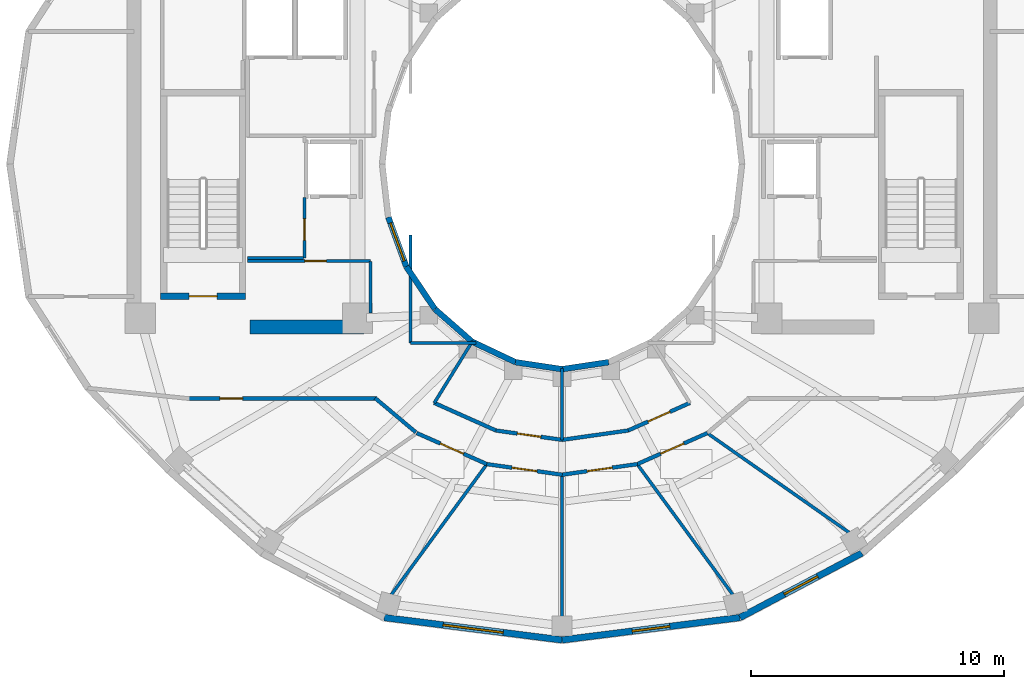
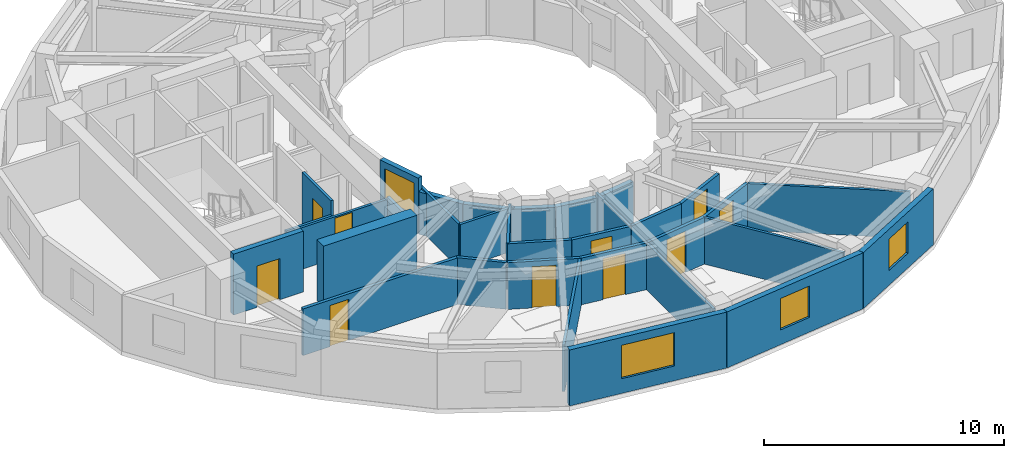
# One storey, part 3 of 9: 33 walls, 10 doors, 4 windows, 14 openings.
"""IFC4 building model written with IfcOpenShell, lengths in metres."""

from ifc_helpers import new_model, si_unit, direction, frame, frame_2d, origin, place, context, subcontext, project, spatial, rectangle, extrude, material, layer, layer_set, type_object, element, fill, save


model = new_model("IFC4")

# Units and contexts
model_context = context("Model", 3, precision=1e-05, world=origin(), true_north=direction((0.0, 1.0)))
body_context = subcontext(model_context, "Body", "Model", "MODEL_VIEW")
ifc_project = project(units=[si_unit("LENGTHUNIT", "METRE"), si_unit("AREAUNIT", "SQUARE_METRE"), si_unit("VOLUMEUNIT", "CUBIC_METRE"), si_unit("PLANEANGLEUNIT", "RADIAN"), si_unit("MASSUNIT", "GRAM", prefix="KILO")], contexts=[model_context])

# Site, building, storey
site_placement = place(None, origin())
site = spatial("IfcSite", under=ifc_project, at=site_placement, CompositionType="ELEMENT")
building_placement = place(site_placement, origin())
building = spatial("IfcBuilding", under=site, at=building_placement, Name="Solvane Sanctuary Tower", CompositionType="ELEMENT")
storey_placement = place(building_placement, frame((0.0, 0.0, 229.5)))
storey = spatial("IfcBuildingStorey", under=building, at=storey_placement, Name="L70", CompositionType="ELEMENT", Elevation=229.5)

# Walls
ifc_material_1 = material(Name="Concrete C50/60", Category="concrete")
ifc_layer_1 = layer(ifc_material_1, 0.550048828125, Name="Concrete C50/60")
ifc_layer_set_1 = layer_set([ifc_layer_1], Name="Concrete C50/60")
wall_type_1 = type_object("IfcWallType", Name="Wall W-CORE-550", PredefinedType="SHEAR", material=ifc_layer_set_1)
wall_1_placement = place(storey_placement, frame((19.64990234375, 16.550048828125, 0.0), z_axis=(0.0, 0.0, 1.0), x_axis=(1.0, 0.0, 0.0)))
element("IfcWall", 1, at=wall_1_placement, inside=storey, type_object=wall_type_1, Name="L70 Core Shear Wall WC-S", PredefinedType="SHEAR", context=body_context, shape_type="SweptSolid", body=[
    extrude(rectangle(XDim=4.5, YDim=0.550048828125, at=frame_2d((2.25, 0.0))), origin(), (0.0, 0.0, 1.0), 3.10009765625),
])
ifc_material_2 = material(Name="Acoustic Gypsum Partition Board")
ifc_layer_2 = layer(ifc_material_2, 0.14990234375, Name="Acoustic Gypsum Partition Board")
ifc_layer_set_2 = layer_set([ifc_layer_2], Name="Acoustic Gypsum Partition Board")
wall_type_2 = type_object("IfcWallType", Name="Wall W-CORR-150", PredefinedType="PARTITIONING", material=ifc_layer_set_2)
wall_2_placement = place(storey_placement, frame((26.934814453125, 13.548583984375, 0.0), z_axis=(0.0, 0.0, 1.0), x_axis=(0.912859324183, -0.408274239027, 0.0)))
element("IfcWall", 2, at=wall_2_placement, inside=storey, type_object=wall_type_2, Name="L70 South Light-Well Corridor Wall 1", PredefinedType="PARTITIONING", context=body_context, shape_type="SweptSolid", body=[
    extrude(rectangle(XDim=2.681884765625, YDim=0.14990234375, at=frame_2d((1.3408203125, 0.0))), origin(), (0.0, 0.0, 1.0), 2.3759765625),
])

# Wall, opening, door
wall_3_placement = place(storey_placement, frame((29.379638671875, 12.45458984375, 0.0), z_axis=(0.0, 0.0, 1.0), x_axis=(0.990096156252, -0.140390887794, 0.0)))
wall_3 = element("IfcWall", 3, at=wall_3_placement, inside=storey, type_object=wall_type_2, Name="L70 South Light-Well Corridor Wall 1", PredefinedType="PARTITIONING", context=body_context, shape_type="SweptSolid", body=[
    extrude(rectangle(XDim=2.65380859375, YDim=0.14990234375, at=frame_2d((1.326904296875, 0.0))), origin(), (0.0, 0.0, 1.0), 2.3759765625),
])
opening_1_placement = place(wall_3_placement, frame((0.851806640625, 0.0, 0.0)))
opening_1 = element("IfcOpeningElement", 4, at=opening_1_placement, cuts=wall_3, Name="Opening D-L70-12", PredefinedType="OPENING", context=body_context, shape_type="SweptSolid", body=[
    extrude(rectangle(XDim=0.949951171875, YDim=2.10009765625, at=frame_2d((0.47509765625, 1.050048828125))), frame((0.0, 0.0849609375, 0.0), z_axis=(0.0, -1.0, 0.0), x_axis=(1.0, 0.0, 0.0)), (0.0, 0.0, 1.0), 0.169921875),
])
ifc_material_3 = material(Name="Engineered Tropical Hardwood", Category="wood")
door_type_1 = type_object("IfcDoorType", Name="Door D-ROOM-950", OperationType="NOTDEFINED", PredefinedType="DOOR", material=ifc_material_3)
door_1_placement = place(opening_1_placement, origin())
door_1 = element("IfcDoor", 5, at=door_1_placement, inside=storey, type_object=door_type_1, Name="L70 South Light-Well Alcove Door 1", OperationType="SINGLE_SWING_LEFT", OverallHeight=2.10009765625, OverallWidth=0.949951171875, PredefinedType="DOOR", context=body_context, shape_type="SweptSolid", body=[
    extrude(rectangle(XDim=0.949951171875, YDim=2.10009765625, at=frame_2d((0.47509765625, 1.050048828125))), frame((0.0, 0.02490234375, 0.0), z_axis=(0.0, -1.0, 0.0), x_axis=(1.0, 0.0, 0.0)), (0.0, 0.0, 1.0), 0.050048828125),
])
fill(opening_1, door_1)

# Wall
wall_4_placement = place(storey_placement, frame((31.992919921875, 12.08203125, 0.0), z_axis=(0.0, 0.0, 1.0), x_axis=(0.990096156252, 0.140390887794, 0.0)))
element("IfcWall", 6, at=wall_4_placement, inside=storey, type_object=wall_type_2, Name="L70 South Light-Well Corridor Wall 2", PredefinedType="PARTITIONING", context=body_context, shape_type="SweptSolid", body=[
    extrude(rectangle(XDim=2.65380859375, YDim=0.14990234375, at=frame_2d((1.326904296875, 0.0))), origin(), (0.0, 0.0, 1.0), 2.3759765625),
])

# Wall, opening, door
wall_5_placement = place(storey_placement, frame((34.616943359375, 12.45361328125, 0.0), z_axis=(0.0, 0.0, 1.0), x_axis=(0.912859324183, 0.408274239027, 0.0)))
wall_5 = element("IfcWall", 7, at=wall_5_placement, inside=storey, type_object=wall_type_2, Name="L70 South Light-Well Corridor Wall 2", PredefinedType="PARTITIONING", context=body_context, shape_type="SweptSolid", body=[
    extrude(rectangle(XDim=2.681884765625, YDim=0.14990234375, at=frame_2d((1.3408203125, 0.0))), origin(), (0.0, 0.0, 1.0), 2.3759765625),
])
opening_2_placement = place(wall_5_placement, frame((0.865966796875, 0.0, 0.0)))
opening_2 = element("IfcOpeningElement", 8, at=opening_2_placement, cuts=wall_5, Name="Opening D-L70-13", PredefinedType="OPENING", context=body_context, shape_type="SweptSolid", body=[
    extrude(rectangle(XDim=0.949951171875, YDim=2.10009765625, at=frame_2d((0.47509765625, 1.050048828125))), frame((0.0, 0.0849609375, 0.0), z_axis=(0.0, -1.0, 0.0), x_axis=(1.0, 0.0, 0.0)), (0.0, 0.0, 1.0), 0.169921875),
])
door_2_placement = place(opening_2_placement, origin())
door_2 = element("IfcDoor", 9, at=door_2_placement, inside=storey, type_object=door_type_1, Name="L70 South Light-Well Alcove Door 2", OperationType="SINGLE_SWING_RIGHT", OverallHeight=2.10009765625, OverallWidth=0.949951171875, PredefinedType="DOOR", context=body_context, shape_type="SweptSolid", body=[
    extrude(rectangle(XDim=0.949951171875, YDim=2.10009765625, at=frame_2d((0.47509765625, 1.050048828125))), frame((0.0, 0.02490234375, 0.0), z_axis=(0.0, -1.0, 0.0), x_axis=(1.0, 0.0, 0.0)), (0.0, 0.0, 1.0), 0.050048828125),
])
fill(opening_2, door_2)

# Wall
wall_6_placement = place(storey_placement, frame((26.208984375, 12.385009765625, 0.0), z_axis=(0.0, 0.0, 1.0), x_axis=(-0.765677451641, 0.643224719711, 0.0)))
element("IfcWall", 10, at=wall_6_placement, inside=storey, type_object=wall_type_2, Name="L70 SW Corner Throat Wall", PredefinedType="PARTITIONING", context=body_context, shape_type="SweptSolid", body=[
    extrude(rectangle(XDim=2.10546875, YDim=0.14990234375, at=frame_2d((1.052734375, 0.0))), origin(), (0.0, 0.0, 1.0), 2.3759765625),
])

# Wall, opening, door
wall_7_placement = place(storey_placement, frame((17.14990234375, 13.719970703125, 0.0), z_axis=(0.0, 0.0, 1.0), x_axis=(1.0, 0.0, 0.0)))
wall_7 = element("IfcWall", 11, at=wall_7_placement, inside=storey, type_object=wall_type_2, Name="L70 SW Corner Corridor Wall", PredefinedType="PARTITIONING", context=body_context, shape_type="SweptSolid", body=[
    extrude(rectangle(XDim=7.52001953125, YDim=0.14990234375, at=frame_2d((3.760009765625, 0.0))), origin(), (0.0, 0.0, 1.0), 2.3759765625),
])
opening_3_placement = place(wall_7_placement, frame((1.300048828125, 0.0, 0.0)))
opening_3 = element("IfcOpeningElement", 12, at=opening_3_placement, cuts=wall_7, Name="Opening D-L70-19", PredefinedType="OPENING", context=body_context, shape_type="SweptSolid", body=[
    extrude(rectangle(XDim=0.89990234375, YDim=2.10009765625, at=frame_2d((0.449951171875, 1.050048828125))), frame((0.0, 0.0849609375, 0.0), z_axis=(0.0, -1.0, 0.0), x_axis=(1.0, 0.0, 0.0)), (0.0, 0.0, 1.0), 0.169921875),
])
door_type_2 = type_object("IfcDoorType", Name="Door D-WET-900", OperationType="NOTDEFINED", PredefinedType="DOOR", material=ifc_material_3)
door_3_placement = place(opening_3_placement, origin())
door_3 = element("IfcDoor", 13, at=door_3_placement, inside=storey, type_object=door_type_2, Name="L70 SW Corner Salon Door", OperationType="SINGLE_SWING_RIGHT", OverallHeight=2.10009765625, OverallWidth=0.89990234375, PredefinedType="DOOR", context=body_context, shape_type="SweptSolid", body=[
    extrude(rectangle(XDim=0.89990234375, YDim=2.10009765625, at=frame_2d((0.449951171875, 1.050048828125))), frame((0.0, 0.02490234375, 0.0), z_axis=(0.0, -1.0, 0.0), x_axis=(1.0, 0.0, 0.0)), (0.0, 0.0, 1.0), 0.050048828125),
])
fill(opening_3, door_3)

wall_8_placement = place(storey_placement, frame((26.243896484375, 12.35400390625, 0.0), z_axis=(0.0, 0.0, 1.0), x_axis=(0.914302802833, -0.405031337963, 0.0)))
wall_8 = element("IfcWall", 14, at=wall_8_placement, inside=storey, type_object=wall_type_2, Name="L70 Unit Corridor Wall S1", PredefinedType="PARTITIONING", context=body_context, shape_type="SweptSolid", body=[
    extrude(rectangle(XDim=3.04931640625, YDim=0.14990234375, at=frame_2d((1.524658203125, 0.0))), origin(), (0.0, 0.0, 1.0), 2.3759765625),
])
opening_4_placement = place(wall_8_placement, frame((1.024658203125, 0.0, 0.0)))
opening_4 = element("IfcOpeningElement", 15, at=opening_4_placement, cuts=wall_8, Name="Opening D-L70-25", PredefinedType="OPENING", context=body_context, shape_type="SweptSolid", body=[
    extrude(rectangle(XDim=1.0, YDim=2.10009765625, at=frame_2d((0.5, 1.050048828125))), frame((0.0, 0.0849609375, 0.0), z_axis=(0.0, -1.0, 0.0), x_axis=(1.0, 0.0, 0.0)), (0.0, 0.0, 1.0), 0.169921875),
])
door_type_3 = type_object("IfcDoorType", Name="Door D-UNIT", OperationType="NOTDEFINED", PredefinedType="DOOR", material=ifc_material_3)
door_4_placement = place(opening_4_placement, origin())
door_4 = element("IfcDoor", 16, at=door_4_placement, inside=storey, type_object=door_type_3, Name="L70 Unit Entrance Door S1", OperationType="SINGLE_SWING_RIGHT", OverallHeight=2.10009765625, OverallWidth=1.0, PredefinedType="DOOR", context=body_context, shape_type="SweptSolid", body=[
    extrude(rectangle(XDim=1.0, YDim=2.10009765625, at=frame_2d((0.5, 1.050048828125))), frame((0.0, 0.02490234375, 0.0), z_axis=(0.0, -1.0, 0.0), x_axis=(1.0, 0.0, 0.0)), (0.0, 0.0, 1.0), 0.050048828125),
])
fill(opening_4, door_4)

wall_9_placement = place(storey_placement, frame((29.016357421875, 11.123291015625, 0.0), z_axis=(0.0, 0.0, 1.0), x_axis=(0.990225561979, -0.139475217886, 0.0)))
wall_9 = element("IfcWall", 17, at=wall_9_placement, inside=storey, type_object=wall_type_2, Name="L70 Unit Corridor Wall S2", PredefinedType="PARTITIONING", context=body_context, shape_type="SweptSolid", body=[
    extrude(rectangle(XDim=3.021240234375, YDim=0.14990234375, at=frame_2d((1.5107421875, 0.0))), origin(), (0.0, 0.0, 1.0), 2.3759765625),
])
opening_5_placement = place(wall_9_placement, frame((1.010498046875, 0.0, 0.0)))
opening_5 = element("IfcOpeningElement", 18, at=opening_5_placement, cuts=wall_9, Name="Opening D-L70-26", PredefinedType="OPENING", context=body_context, shape_type="SweptSolid", body=[
    extrude(rectangle(XDim=1.0, YDim=2.10009765625, at=frame_2d((0.5, 1.050048828125))), frame((0.0, 0.0849609375, 0.0), z_axis=(0.0, -1.0, 0.0), x_axis=(1.0, 0.0, 0.0)), (0.0, 0.0, 1.0), 0.169921875),
])
door_5_placement = place(opening_5_placement, origin())
door_5 = element("IfcDoor", 19, at=door_5_placement, inside=storey, type_object=door_type_3, Name="L70 Unit Entrance Door S2", OperationType="SINGLE_SWING_LEFT", OverallHeight=2.10009765625, OverallWidth=1.0, PredefinedType="DOOR", context=body_context, shape_type="SweptSolid", body=[
    extrude(rectangle(XDim=1.0, YDim=2.10009765625, at=frame_2d((0.5, 1.050048828125))), frame((0.0, 0.02490234375, 0.0), z_axis=(0.0, -1.0, 0.0), x_axis=(1.0, 0.0, 0.0)), (0.0, 0.0, 1.0), 0.050048828125),
])
fill(opening_5, door_5)

wall_10_placement = place(storey_placement, frame((31.991943359375, 10.701904296875, 0.0), z_axis=(0.0, 0.0, 1.0), x_axis=(0.990225561979, 0.139475217886, 0.0)))
wall_10 = element("IfcWall", 20, at=wall_10_placement, inside=storey, type_object=wall_type_2, Name="L70 Unit Corridor Wall S3", PredefinedType="PARTITIONING", context=body_context, shape_type="SweptSolid", body=[
    extrude(rectangle(XDim=3.021240234375, YDim=0.14990234375, at=frame_2d((1.5107421875, 0.0))), origin(), (0.0, 0.0, 1.0), 2.3759765625),
])
opening_6_placement = place(wall_10_placement, frame((1.010498046875, 0.0, 0.0)))
opening_6 = element("IfcOpeningElement", 21, at=opening_6_placement, cuts=wall_10, Name="Opening D-L70-27", PredefinedType="OPENING", context=body_context, shape_type="SweptSolid", body=[
    extrude(rectangle(XDim=1.0, YDim=2.10009765625, at=frame_2d((0.5, 1.050048828125))), frame((0.0, 0.0849609375, 0.0), z_axis=(0.0, -1.0, 0.0), x_axis=(1.0, 0.0, 0.0)), (0.0, 0.0, 1.0), 0.169921875),
])
door_6_placement = place(opening_6_placement, origin())
door_6 = element("IfcDoor", 22, at=door_6_placement, inside=storey, type_object=door_type_3, Name="L70 Unit Entrance Door S3", OperationType="SINGLE_SWING_RIGHT", OverallHeight=2.10009765625, OverallWidth=1.0, PredefinedType="DOOR", context=body_context, shape_type="SweptSolid", body=[
    extrude(rectangle(XDim=1.0, YDim=2.10009765625, at=frame_2d((0.5, 1.050048828125))), frame((0.0, 0.02490234375, 0.0), z_axis=(0.0, -1.0, 0.0), x_axis=(1.0, 0.0, 0.0)), (0.0, 0.0, 1.0), 0.050048828125),
])
fill(opening_6, door_6)

wall_11_placement = place(storey_placement, frame((34.968017578125, 11.118896484375, 0.0), z_axis=(0.0, 0.0, 1.0), x_axis=(0.914302802833, 0.405031337963, 0.0)))
wall_11 = element("IfcWall", 23, at=wall_11_placement, inside=storey, type_object=wall_type_2, Name="L70 Unit Corridor Wall S4", PredefinedType="PARTITIONING", context=body_context, shape_type="SweptSolid", body=[
    extrude(rectangle(XDim=3.04931640625, YDim=0.14990234375, at=frame_2d((1.524658203125, 0.0))), origin(), (0.0, 0.0, 1.0), 2.3759765625),
])
opening_7_placement = place(wall_11_placement, frame((1.024658203125, 0.0, 0.0)))
opening_7 = element("IfcOpeningElement", 24, at=opening_7_placement, cuts=wall_11, Name="Opening D-L70-28", PredefinedType="OPENING", context=body_context, shape_type="SweptSolid", body=[
    extrude(rectangle(XDim=1.0, YDim=2.10009765625, at=frame_2d((0.5, 1.050048828125))), frame((0.0, 0.0849609375, 0.0), z_axis=(0.0, -1.0, 0.0), x_axis=(1.0, 0.0, 0.0)), (0.0, 0.0, 1.0), 0.169921875),
])
door_7_placement = place(opening_7_placement, origin())
door_7 = element("IfcDoor", 25, at=door_7_placement, inside=storey, type_object=door_type_3, Name="L70 Unit Entrance Door S4", OperationType="SINGLE_SWING_LEFT", OverallHeight=2.10009765625, OverallWidth=1.0, PredefinedType="DOOR", context=body_context, shape_type="SweptSolid", body=[
    extrude(rectangle(XDim=1.0, YDim=2.10009765625, at=frame_2d((0.5, 1.050048828125))), frame((0.0, 0.02490234375, 0.0), z_axis=(0.0, -1.0, 0.0), x_axis=(1.0, 0.0, 0.0)), (0.0, 0.0, 1.0), 0.050048828125),
])
fill(opening_7, door_7)

# Wall, opening, window
ifc_material_4 = material(Name="Precast concrete C40/50", Category="concrete")
ifc_layer_3 = layer(ifc_material_4, 0.260009765625, Name="Precast concrete C40/50")
ifc_layer_set_3 = layer_set([ifc_layer_3], Name="Precast concrete C40/50")
wall_type_3 = type_object("IfcWallType", Name="Wall W-EXT-250", PredefinedType="STANDARD", material=ifc_layer_set_3)
wall_12_placement = place(storey_placement, frame((24.95703125, 5.048095703125, 0.0), z_axis=(0.0, 0.0, 1.0), x_axis=(0.992180211307, -0.124813574142, 0.0)))
wall_12 = element("IfcWall", 26, at=wall_12_placement, inside=storey, type_object=wall_type_3, Name="L70 Ceramic-Printed Facade Wall 17", PredefinedType="STANDARD", context=body_context, shape_type="SweptSolid", body=[
    extrude(rectangle(XDim=7.098388671875, YDim=0.260009765625, at=frame_2d((3.54931640625, 0.0))), origin(), (0.0, 0.0, 1.0), 2.85009765625),
])
opening_8_placement = place(wall_12_placement, frame((2.34912109375, 0.0, 0.75)))
opening_8 = element("IfcOpeningElement", 27, at=opening_8_placement, cuts=wall_12, Name="Opening WN-RIB-2400", PredefinedType="OPENING", context=body_context, shape_type="SweptSolid", body=[
    extrude(rectangle(XDim=2.39990234375, YDim=1.699951171875, at=frame_2d((1.199951171875, 0.85009765625))), frame((0.0, 0.139892578125, 0.0), z_axis=(0.0, -1.0, 0.0), x_axis=(1.0, 0.0, 0.0)), (0.0, 0.0, 1.0), 0.280029296875),
])
ifc_material_5 = material(Name="Dark Ceramic-Fritted Low-E Glass", Category="glass")
window_type_1 = type_object("IfcWindowType", Name="Window WN-RIB-2400", PartitioningType="SINGLE_PANEL", PredefinedType="WINDOW", material=ifc_material_5)
window_1_placement = place(opening_8_placement, origin())
window_1 = element("IfcWindow", 28, at=window_1_placement, inside=storey, type_object=window_type_1, Name="L70 Operable Facade Window 17", OverallHeight=1.699951171875, OverallWidth=2.39990234375, PartitioningType="SINGLE_PANEL", PredefinedType="WINDOW", context=body_context, shape_type="SweptSolid", body=[
    extrude(rectangle(XDim=2.39990234375, YDim=1.699951171875, at=frame_2d((1.199951171875, 0.85009765625))), frame((0.0, 0.030029296875, 0.0), z_axis=(0.0, -1.0, 0.0), x_axis=(1.0, 0.0, 0.0)), (0.0, 0.0, 1.0), 0.06005859375),
])
fill(opening_8, window_1)

wall_13_placement = place(storey_placement, frame((32.0, 4.162109375, 0.0), z_axis=(0.0, 0.0, 1.0), x_axis=(0.992180211307, 0.124813574142, 0.0)))
wall_13 = element("IfcWall", 29, at=wall_13_placement, inside=storey, type_object=wall_type_3, Name="L70 Ceramic-Printed Facade Wall 18", PredefinedType="STANDARD", context=body_context, shape_type="SweptSolid", body=[
    extrude(rectangle(XDim=7.098388671875, YDim=0.260009765625, at=frame_2d((3.54931640625, 0.0))), origin(), (0.0, 0.0, 1.0), 2.85009765625),
])
opening_9_placement = place(wall_13_placement, frame((2.79931640625, 0.0, 0.75)))
opening_9 = element("IfcOpeningElement", 30, at=opening_9_placement, cuts=wall_13, Name="Opening WN-OPER-1500", PredefinedType="OPENING", context=body_context, shape_type="SweptSolid", body=[
    extrude(rectangle(XDim=1.5, YDim=1.60009765625, at=frame_2d((0.75, 0.800048828125))), frame((0.0, 0.139892578125, 0.0), z_axis=(0.0, -1.0, 0.0), x_axis=(1.0, 0.0, 0.0)), (0.0, 0.0, 1.0), 0.280029296875),
])
window_type_2 = type_object("IfcWindowType", Name="Window WN-OPER-1500", PartitioningType="SINGLE_PANEL", PredefinedType="WINDOW", material=ifc_material_5)
window_2_placement = place(opening_9_placement, origin())
window_2 = element("IfcWindow", 31, at=window_2_placement, inside=storey, type_object=window_type_2, Name="L70 Operable Facade Window 18", OverallHeight=1.60009765625, OverallWidth=1.5, PartitioningType="SINGLE_PANEL", PredefinedType="WINDOW", context=body_context, shape_type="SweptSolid", body=[
    extrude(rectangle(XDim=1.5, YDim=1.60009765625, at=frame_2d((0.75, 0.800048828125))), frame((0.0, 0.030029296875, 0.0), z_axis=(0.0, -1.0, 0.0), x_axis=(1.0, 0.0, 0.0)), (0.0, 0.0, 1.0), 0.06005859375),
])
fill(opening_9, window_2)

wall_14_placement = place(storey_placement, frame((39.04296875, 5.048095703125, 0.0), z_axis=(0.0, 0.0, 1.0), x_axis=(0.884000981341, 0.46748504253, 0.0)))
wall_14 = element("IfcWall", 32, at=wall_14_placement, inside=storey, type_object=wall_type_3, Name="L70 Ceramic-Printed Facade Wall 19", PredefinedType="STANDARD", context=body_context, shape_type="SweptSolid", body=[
    extrude(rectangle(XDim=5.46044921875, YDim=0.260009765625, at=frame_2d((2.730224609375, 0.0))), origin(), (0.0, 0.0, 1.0), 2.85009765625),
])
opening_10_placement = place(wall_14_placement, frame((1.980224609375, 0.0, 0.75)))
opening_10 = element("IfcOpeningElement", 33, at=opening_10_placement, cuts=wall_14, Name="Opening WN-OPER-1500", PredefinedType="OPENING", context=body_context, shape_type="SweptSolid", body=[
    extrude(rectangle(XDim=1.5, YDim=1.60009765625, at=frame_2d((0.75, 0.800048828125))), frame((0.0, 0.139892578125, 0.0), z_axis=(0.0, -1.0, 0.0), x_axis=(1.0, 0.0, 0.0)), (0.0, 0.0, 1.0), 0.280029296875),
])
window_3_placement = place(opening_10_placement, origin())
window_3 = element("IfcWindow", 34, at=window_3_placement, inside=storey, type_object=window_type_2, Name="L70 Operable Facade Window 19", OverallHeight=1.60009765625, OverallWidth=1.5, PartitioningType="SINGLE_PANEL", PredefinedType="WINDOW", context=body_context, shape_type="SweptSolid", body=[
    extrude(rectangle(XDim=1.5, YDim=1.60009765625, at=frame_2d((0.75, 0.800048828125))), frame((0.0, 0.030029296875, 0.0), z_axis=(0.0, -1.0, 0.0), x_axis=(1.0, 0.0, 0.0)), (0.0, 0.0, 1.0), 0.06005859375),
])
fill(opening_10, window_3)

ifc_layer_4 = layer(ifc_material_4, 0.22998046875, Name="Precast concrete C40/50")
ifc_layer_set_4 = layer_set([ifc_layer_4], Name="Precast concrete C40/50")
wall_type_4 = type_object("IfcWallType", Name="Wall W-EXT-SP220", PredefinedType="STANDARD", material=ifc_layer_set_4)
wall_15_placement = place(storey_placement, frame((25.12255859375, 20.8984375, 0.0), z_axis=(0.0, 0.0, 1.0), x_axis=(0.341423187295, -0.93990968033, 0.0)))
wall_15 = element("IfcWall", 35, at=wall_15_placement, inside=storey, type_object=wall_type_4, Name="L70 Central Light-Well Wall 13", PredefinedType="STANDARD", context=body_context, shape_type="SweptSolid", body=[
    extrude(rectangle(XDim=2.083740234375, YDim=0.22998046875, at=frame_2d((1.0419921875, 0.0))), origin(), (0.0, 0.0, 1.0), 2.840087890625),
])
opening_11_placement = place(wall_15_placement, frame((0.24169921875, 0.0, 0.85009765625)))
opening_11 = element("IfcOpeningElement", 36, at=opening_11_placement, cuts=wall_15, Name="Opening WN-WELL-1600", PredefinedType="OPENING", context=body_context, shape_type="SweptSolid", body=[
    extrude(rectangle(XDim=1.60009765625, YDim=1.64990234375, at=frame_2d((0.800048828125, 0.824951171875))), frame((0.0, 0.125, 0.0), z_axis=(0.0, -1.0, 0.0), x_axis=(1.0, 0.0, 0.0)), (0.0, 0.0, 1.0), 0.25),
])
ifc_material_6 = material(Name="Clear Laminated Light-Well Glass", Category="glass")
window_type_3 = type_object("IfcWindowType", Name="Window WN-WELL-1600", PartitioningType="SINGLE_PANEL", PredefinedType="WINDOW", material=ifc_material_6)
window_4_placement = place(opening_11_placement, origin())
window_4 = element("IfcWindow", 37, at=window_4_placement, inside=storey, type_object=window_type_3, Name="L70 Light-Well Daylight Window 13", OverallHeight=1.64990234375, OverallWidth=1.60009765625, PartitioningType="SINGLE_PANEL", PredefinedType="WINDOW", context=body_context, shape_type="SweptSolid", body=[
    extrude(rectangle(XDim=1.60009765625, YDim=1.64990234375, at=frame_2d((0.800048828125, 0.824951171875))), frame((0.0, 0.030029296875, 0.0), z_axis=(0.0, -1.0, 0.0), x_axis=(1.0, 0.0, 0.0)), (0.0, 0.0, 1.0), 0.06005859375),
])
fill(opening_11, window_4)

# Walls
wall_16_placement = place(storey_placement, frame((25.833984375, 18.93994140625, 0.0), z_axis=(0.0, 0.0, 1.0), x_axis=(0.558197800898, -0.829707909492, 0.0)))
element("IfcWall", 38, at=wall_16_placement, inside=storey, type_object=wall_type_4, Name="L70 Central Light-Well Wall 14", PredefinedType="STANDARD", context=body_context, shape_type="SweptSolid", body=[
    extrude(rectangle(XDim=2.02685546875, YDim=0.22998046875, at=frame_2d((1.013427734375, 0.0))), origin(), (0.0, 0.0, 1.0), 2.159912109375),
])
wall_17_placement = place(storey_placement, frame((26.96533203125, 17.25830078125, 0.0), z_axis=(0.0, 0.0, 1.0), x_axis=(0.752576694707, -0.658504607869, 0.0)))
element("IfcWall", 39, at=wall_17_placement, inside=storey, type_object=wall_type_4, Name="L70 Central Light-Well Wall 15", PredefinedType="STANDARD", context=body_context, shape_type="SweptSolid", body=[
    extrude(rectangle(XDim=1.95947265625, YDim=0.22998046875, at=frame_2d((0.979736328125, 0.0))), origin(), (0.0, 0.0, 1.0), 2.159912109375),
])
wall_18_placement = place(storey_placement, frame((28.43994140625, 15.968017578125, 0.0), z_axis=(0.0, 0.0, 1.0), x_axis=(0.904179699603, -0.427152280606, 0.0)))
element("IfcWall", 40, at=wall_18_placement, inside=storey, type_object=wall_type_4, Name="L70 Central Light-Well Wall 16", PredefinedType="STANDARD", context=body_context, shape_type="SweptSolid", body=[
    extrude(rectangle(XDim=1.899169921875, YDim=0.22998046875, at=frame_2d((0.94970703125, 0.0))), origin(), (0.0, 0.0, 1.0), 2.159912109375),
])
for number, where, z_axis, x_axis, name in (
    (41, (30.1572265625, 15.15673828125, 0.0), (0.0, 0.0, 1.0), (0.988901730308, -0.148571086668, 0.0), "L70 Central Light-Well Wall 17"),
    (42, (32.0, 14.8798828125, 0.0), (0.0, 0.0, 1.0), (0.988901730308, 0.148571086668, 0.0), "L70 Central Light-Well Wall 18"),
):
    element("IfcWall", number, at=place(storey_placement, frame(where, z_axis=z_axis, x_axis=x_axis)), inside=storey, type_object=wall_type_4, Name=name, PredefinedType="STANDARD", context=body_context, shape_type="SweptSolid", body=[
        extrude(rectangle(XDim=1.863525390625, YDim=0.22998046875, at=frame_2d((0.931640625, 0.0))), origin(), (0.0, 0.0, 1.0), 2.159912109375),
    ])

# Wall, opening, door
ifc_layer_5 = layer(ifc_material_2, 0.125, Name="Acoustic Gypsum Partition Board")
ifc_layer_set_5 = layer_set([ifc_layer_5], Name="Acoustic Gypsum Partition Board")
wall_type_5 = type_object("IfcWallType", Name="Wall W-PART-125", PredefinedType="PARTITIONING", material=ifc_layer_set_5)
wall_19_placement = place(storey_placement, frame((19.550048828125, 19.159912109375, 0.0), z_axis=(0.0, 0.0, 1.0), x_axis=(1.0, 0.0, 0.0)))
wall_19 = element("IfcWall", 43, at=wall_19_placement, inside=storey, type_object=wall_type_5, Name="L70 Reclaimed Room Partition PLW", PredefinedType="PARTITIONING", context=body_context, shape_type="SweptSolid", body=[
    extrude(rectangle(XDim=4.869873046875, YDim=0.125, at=frame_2d((2.43505859375, 0.0))), origin(), (0.0, 0.0, 1.0), 2.1201171875),
])
opening_12_placement = place(wall_19_placement, frame((2.271728515625, 0.0, 0.0)))
opening_12 = element("IfcOpeningElement", 44, at=opening_12_placement, cuts=wall_19, Name="Opening D-L70-05", PredefinedType="OPENING", context=body_context, shape_type="SweptSolid", body=[
    extrude(rectangle(XDim=0.85009765625, YDim=2.050048828125, at=frame_2d((0.425048828125, 1.02490234375))), frame((0.0, 0.072509765625, 0.0), z_axis=(0.0, -1.0, 0.0), x_axis=(1.0, 0.0, 0.0)), (0.0, 0.0, 1.0), 0.14501953125),
])
ifc_material_7 = material(Name="Architectural Stainless Steel 316", Category="steel")
door_type_4 = type_object("IfcDoorType", Name="Door D-RISER", OperationType="NOTDEFINED", PredefinedType="DOOR", material=ifc_material_7)
door_8_placement = place(opening_12_placement, origin())
door_8 = element("IfcDoor", 45, at=door_8_placement, inside=storey, type_object=door_type_4, Name="L70 Reclaimed Room Door PLW-1", OperationType="SINGLE_SWING_RIGHT", OverallHeight=2.050048828125, OverallWidth=0.85009765625, PredefinedType="DOOR", context=body_context, shape_type="SweptSolid", body=[
    extrude(rectangle(XDim=0.85009765625, YDim=2.050048828125, at=frame_2d((0.425048828125, 1.02490234375))), frame((0.0, 0.02490234375, 0.0), z_axis=(0.0, -1.0, 0.0), x_axis=(1.0, 0.0, 0.0)), (0.0, 0.0, 1.0), 0.050048828125),
])
fill(opening_12, door_8)

# Wall
wall_20_placement = place(storey_placement, frame((24.419921875, 17.10009765625, 0.0), z_axis=(0.0, 0.0, 1.0), x_axis=(0.0, 1.0, 0.0)))
element("IfcWall", 46, at=wall_20_placement, inside=storey, type_object=wall_type_5, Name="L70 Reclaimed Room Closer Wall PLW-1", PredefinedType="PARTITIONING", context=body_context, shape_type="SweptSolid", body=[
    extrude(rectangle(XDim=2.039794921875, YDim=0.125, at=frame_2d((1.02001953125, 0.0))), origin(), (0.0, 0.0, 1.0), 2.23193359375),
])

# Wall, opening, door
wall_21_placement = place(storey_placement, frame((21.800048828125, 19.280029296875, 0.0), z_axis=(0.0, 0.0, 1.0), x_axis=(0.0, 1.0, 0.0)))
wall_21 = element("IfcWall", 47, at=wall_21_placement, inside=storey, type_object=wall_type_5, Name="L70 Reclaimed Room Partition PMW", PredefinedType="PARTITIONING", context=body_context, shape_type="SweptSolid", body=[
    extrude(rectangle(XDim=2.39990234375, YDim=0.125, at=frame_2d((1.199951171875, 0.0))), origin(), (0.0, 0.0, 1.0), 2.85498046875),
])
opening_13_placement = place(wall_21_placement, frame((0.699951171875, 0.0, 0.0)))
opening_13 = element("IfcOpeningElement", 48, at=opening_13_placement, cuts=wall_21, Name="Opening D-L70-07", PredefinedType="OPENING", context=body_context, shape_type="SweptSolid", body=[
    extrude(rectangle(XDim=0.85009765625, YDim=2.050048828125, at=frame_2d((0.425048828125, 1.02490234375))), frame((0.0, 0.072509765625, 0.0), z_axis=(0.0, -1.0, 0.0), x_axis=(1.0, 0.0, 0.0)), (0.0, 0.0, 1.0), 0.14501953125),
])
door_9_placement = place(opening_13_placement, origin())
door_9 = element("IfcDoor", 49, at=door_9_placement, inside=storey, type_object=door_type_4, Name="L70 Reclaimed Room Door PMW-1", OperationType="SINGLE_SWING_RIGHT", OverallHeight=2.050048828125, OverallWidth=0.85009765625, PredefinedType="DOOR", context=body_context, shape_type="SweptSolid", body=[
    extrude(rectangle(XDim=0.85009765625, YDim=2.050048828125, at=frame_2d((0.425048828125, 1.02490234375))), frame((0.0, 0.02490234375, 0.0), z_axis=(0.0, -1.0, 0.0), x_axis=(1.0, 0.0, 0.0)), (0.0, 0.0, 1.0), 0.050048828125),
])
fill(opening_13, door_9)

# Walls
wall_22_placement = place(storey_placement, frame((19.550048828125, 19.280029296875, 0.0), z_axis=(0.0, 0.0, 1.0), x_axis=(1.0, 0.0, 0.0)))
element("IfcWall", 50, at=wall_22_placement, inside=storey, type_object=wall_type_5, Name="L70 Reclaimed Room Closer Wall PMW-1", PredefinedType="PARTITIONING", context=body_context, shape_type="SweptSolid", body=[
    extrude(rectangle(XDim=2.2099609375, YDim=0.125, at=frame_2d((1.10498046875, 0.0))), origin(), (0.0, 0.0, 1.0), 2.1201171875),
])
wall_23_placement = place(storey_placement, frame((28.449951171875, 15.985107421875, 0.0), z_axis=(0.0, 0.0, 1.0), x_axis=(-0.52592395012, -0.850531597702, 0.0)))
element("IfcWall", 51, at=wall_23_placement, inside=storey, type_object=wall_type_5, Name="L70 South Light-Well Radial Wall 240", PredefinedType="PARTITIONING", context=body_context, shape_type="SweptSolid", body=[
    extrude(rectangle(XDim=2.869384765625, YDim=0.125, at=frame_2d((1.4345703125, 0.0))), origin(), (0.0, 0.0, 1.0), 2.3759765625),
])
wall_24_placement = place(storey_placement, frame((32.0, 14.89990234375, 0.0), z_axis=(0.0, 0.0, 1.0), x_axis=(0.0, -1.0, 0.0)))
element("IfcWall", 52, at=wall_24_placement, inside=storey, type_object=wall_type_5, Name="L70 South Light-Well Radial Wall 270", PredefinedType="PARTITIONING", context=body_context, shape_type="SweptSolid", body=[
    extrude(rectangle(XDim=2.81787109375, YDim=0.125, at=frame_2d((1.408935546875, 0.0))), origin(), (0.0, 0.0, 1.0), 2.3759765625),
])
wall_25_placement = place(storey_placement, frame((26.0, 15.919921875, 0.0), z_axis=(0.0, 0.0, 1.0), x_axis=(0.0, 1.0, 0.0)))
element("IfcWall", 53, at=wall_25_placement, inside=storey, type_object=wall_type_5, Name="L70 Bridge Alcove Wall 5", PredefinedType="PARTITIONING", context=body_context, shape_type="SweptSolid", body=[
    extrude(rectangle(XDim=4.280029296875, YDim=0.125, at=frame_2d((2.14013671875, 0.0))), origin(), (0.0, 0.0, 1.0), 2.23193359375),
])
wall_26_placement = place(storey_placement, frame((26.0, 15.919921875, 0.0), z_axis=(0.0, 0.0, 1.0), x_axis=(1.0, 0.0, 0.0)))
element("IfcWall", 54, at=wall_26_placement, inside=storey, type_object=wall_type_5, Name="L70 Bridge Alcove Wall 6", PredefinedType="PARTITIONING", context=body_context, shape_type="SweptSolid", body=[
    extrude(rectangle(XDim=2.60009765625, YDim=0.125, at=frame_2d((1.300048828125, 0.0))), origin(), (0.0, 0.0, 1.0), 2.23193359375),
])
wall_27_placement = place(storey_placement, frame((28.99169921875, 11.07666015625, 0.0), z_axis=(0.0, 0.0, 1.0), x_axis=(-0.590771495169, -0.806838918555, 0.0)))
element("IfcWall", 55, at=wall_27_placement, inside=storey, type_object=wall_type_5, Name="L70 Radial Compartment Wall 255", PredefinedType="PARTITIONING", context=body_context, shape_type="SweptSolid", body=[
    extrude(rectangle(XDim=6.346923828125, YDim=0.125, at=frame_2d((3.17333984375, 0.0))), origin(), (0.0, 0.0, 1.0), 2.3759765625),
])
wall_28_placement = place(storey_placement, frame((32.0, 10.64697265625, 0.0), z_axis=(0.0, 0.0, 1.0), x_axis=(0.0, -1.0, 0.0)))
element("IfcWall", 56, at=wall_28_placement, inside=storey, type_object=wall_type_5, Name="L70 Radial Compartment Wall 270", PredefinedType="PARTITIONING", context=body_context, shape_type="SweptSolid", body=[
    extrude(rectangle(XDim=5.546875, YDim=0.125, at=frame_2d((2.7734375, 0.0))), origin(), (0.0, 0.0, 1.0), 2.3759765625),
])
wall_29_placement = place(storey_placement, frame((35.00830078125, 11.07666015625, 0.0), z_axis=(0.0, 0.0, 1.0), x_axis=(0.590771495169, -0.806838918555, 0.0)))
element("IfcWall", 57, at=wall_29_placement, inside=storey, type_object=wall_type_5, Name="L70 Radial Compartment Wall 285", PredefinedType="PARTITIONING", context=body_context, shape_type="SweptSolid", body=[
    extrude(rectangle(XDim=6.346923828125, YDim=0.125, at=frame_2d((3.17333984375, 0.0))), origin(), (0.0, 0.0, 1.0), 2.3759765625),
])
wall_30_placement = place(storey_placement, frame((37.7939453125, 12.318115234375, 0.0), z_axis=(0.0, 0.0, 1.0), x_axis=(0.819017716307, -0.573768228796, 0.0)))
element("IfcWall", 58, at=wall_30_placement, inside=storey, type_object=wall_type_5, Name="L70 Radial Compartment Wall 300", PredefinedType="PARTITIONING", context=body_context, shape_type="SweptSolid", body=[
    extrude(rectangle(XDim=6.802001953125, YDim=0.125, at=frame_2d((3.40087890625, 0.0))), origin(), (0.0, 0.0, 1.0), 2.3759765625),
])

# Wall, opening, door
ifc_layer_6 = layer(ifc_material_1, 0.25, Name="Concrete C50/60")
ifc_layer_set_6 = layer_set([ifc_layer_6], Name="Concrete C50/60")
wall_type_6 = type_object("IfcWallType", Name="Wall W-SHAFT-250", PredefinedType="SOLIDWALL", material=ifc_layer_set_6)
wall_31_placement = place(storey_placement, frame((16.10498046875, 17.77001953125, 0.0), z_axis=(0.0, 0.0, 1.0), x_axis=(1.0, 0.0, 0.0)))
wall_31 = element("IfcWall", 59, at=wall_31_placement, inside=storey, type_object=wall_type_6, Name="L70 ST-1 Load-Bearing Shaft Wall S", PredefinedType="SOLIDWALL", context=body_context, shape_type="SweptSolid", body=[
    extrude(rectangle(XDim=3.3701171875, YDim=0.25, at=frame_2d((1.68505859375, 0.0))), origin(), (0.0, 0.0, 1.0), 3.10009765625),
])
opening_14_placement = place(wall_31_placement, frame((1.135009765625, 0.0, 0.0)))
opening_14 = element("IfcOpeningElement", 60, at=opening_14_placement, cuts=wall_31, Name="Opening D-L70-01", PredefinedType="OPENING", context=body_context, shape_type="SweptSolid", body=[
    extrude(rectangle(XDim=1.10009765625, YDim=2.10009765625, at=frame_2d((0.550048828125, 1.050048828125))), frame((0.0, 0.135009765625, 0.0), z_axis=(0.0, -1.0, 0.0), x_axis=(1.0, 0.0, 0.0)), (0.0, 0.0, 1.0), 0.27001953125),
])
door_type_5 = type_object("IfcDoorType", Name="Door D-STAIR", OperationType="NOTDEFINED", PredefinedType="DOOR", material=ifc_material_7)
door_10_placement = place(opening_14_placement, origin())
door_10 = element("IfcDoor", 61, at=door_10_placement, inside=storey, type_object=door_type_5, Name="L70 ST-1 Exit Stair Fire Door", OperationType="SINGLE_SWING_LEFT", OverallHeight=2.10009765625, OverallWidth=1.10009765625, PredefinedType="DOOR", context=body_context, shape_type="SweptSolid", body=[
    extrude(rectangle(XDim=1.10009765625, YDim=2.10009765625, at=frame_2d((0.550048828125, 1.050048828125))), frame((0.0, 0.02490234375, 0.0), z_axis=(0.0, -1.0, 0.0), x_axis=(1.0, 0.0, 0.0)), (0.0, 0.0, 1.0), 0.050048828125),
])
fill(opening_14, door_10)

save(model, "model.ifc")
